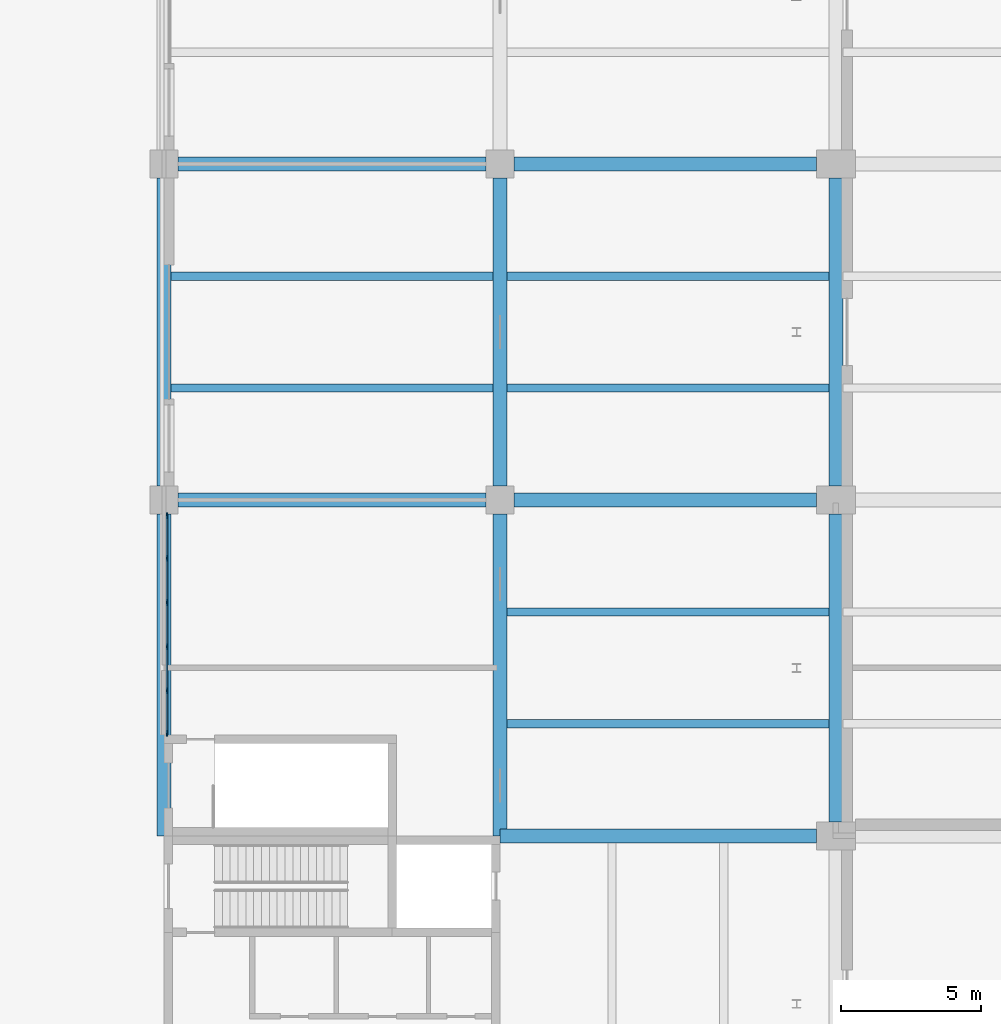
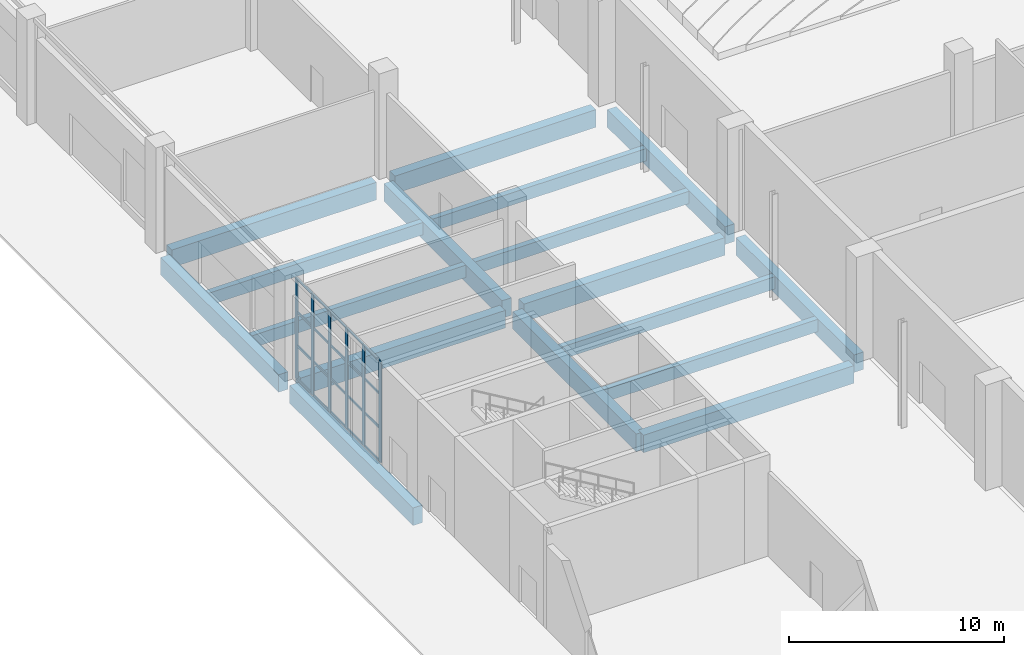
# One storey, part 13 of 59: 26 members, 17 beams, 1 element without a shape of its own.
"""IFC4 building model written with IfcOpenShell, lengths in metres."""

from ifc_helpers import new_model, si_unit, direction, frame, origin, origin_2d, place, context, subcontext, project, spatial, rectangle, extrude, material, layer, layer_set, material_profile, profile_set, type_object, element, aggregate, save


model = new_model("IFC4")

# Units and contexts
model_context = context("Model", 3, precision=1e-05, world=origin(), true_north=direction((0.0, 1.0)))
body_context = subcontext(model_context, "Body", "Model", "MODEL_VIEW")
ifc_project = project(units=[si_unit("LENGTHUNIT", "METRE"), si_unit("AREAUNIT", "SQUARE_METRE"), si_unit("VOLUMEUNIT", "CUBIC_METRE"), si_unit("PLANEANGLEUNIT", "RADIAN"), si_unit("MASSUNIT", "GRAM", prefix="KILO")], contexts=[model_context])

# Site, building, storey
site_placement = place(None, origin())
site = spatial("IfcSite", under=ifc_project, at=site_placement, CompositionType="ELEMENT")
building_placement = place(site_placement, origin())
building = spatial("IfcBuilding", under=site, at=building_placement, Name="Lilac Gate Convention Centre", CompositionType="ELEMENT")
storey_placement = place(building_placement, origin())
storey = spatial("IfcBuildingStorey", under=building, at=storey_placement, Name="L00", CompositionType="ELEMENT", Elevation=0.0)

# Curtain wall, members
ifc_material_1 = material(Name="Aluminium framed double glazing", Category="aluminium")
ifc_layer = layer(ifc_material_1, 0.199951171875)
ifc_layer_set = layer_set([ifc_layer], Name="Aluminium framed double glazing")
curtain_wall_type = type_object("IfcCurtainWallType", Name="Unitised curtain wall 1500", PredefinedType="NOTDEFINED", material=ifc_layer_set)
curtain_wall_placement = place(storey_placement, origin())
curtain_wall = element("IfcCurtainWall", 1, at=curtain_wall_placement, inside=storey, type_object=curtain_wall_type, Name="Curtain wall PW L00 8", PredefinedType="NOTDEFINED")
ifc_material_2 = material(Name="Aluminium alloy 6063", Category="aluminium")
ifc_material_profile_1 = material_profile(ifc_material_2, rectangle(XDim=0.06005859375, YDim=0.219970703125, at=origin_2d()), Name="Curtain wall mullion 60 x 220")
ifc_profile_set_1 = profile_set([ifc_material_profile_1], Name="Aluminium alloy 6063")
member_type_1 = type_object("IfcMemberType", Name="Curtain wall mullion 60 x 220", PredefinedType="MULLION", material=ifc_profile_set_1)
member_1_placement = place(storey_placement, frame((6.10009765625, 113.43994140625, 0.0), z_axis=(0.0, 0.0, 1.0), x_axis=(1.0, 0.0, 0.0)))
member_1 = element("IfcMember", 2, at=member_1_placement, type_object=member_type_1, Name="CW mullion 1", PredefinedType="MULLION", context=body_context, shape_type="SweptSolid", body=[
    extrude(rectangle(XDim=0.06005859375, YDim=0.219970703125, at=origin_2d()), origin(), (0.0, 0.0, 1.0), 5.75),
])
member_2_placement = place(storey_placement, frame((6.10009765625, 111.919921875, 0.0), z_axis=(0.0, 0.0, 1.0), x_axis=(1.0, 0.0, 0.0)))
member_2 = element("IfcMember", 3, at=member_2_placement, type_object=member_type_1, Name="CW mullion 2", PredefinedType="MULLION", context=body_context, shape_type="SweptSolid", body=[
    extrude(rectangle(XDim=0.06005859375, YDim=0.219970703125, at=origin_2d()), origin(), (0.0, 0.0, 1.0), 5.75),
])
member_3_placement = place(storey_placement, frame((6.10009765625, 110.340087890625, 0.0), z_axis=(0.0, 0.0, 1.0), x_axis=(1.0, 0.0, 0.0)))
member_3 = element("IfcMember", 4, at=member_3_placement, type_object=member_type_1, Name="CW mullion 3", PredefinedType="MULLION", context=body_context, shape_type="SweptSolid", body=[
    extrude(rectangle(XDim=0.06005859375, YDim=0.219970703125, at=origin_2d()), origin(), (0.0, 0.0, 1.0), 5.75),
])
member_4_placement = place(storey_placement, frame((6.10009765625, 108.760009765625, 0.0), z_axis=(0.0, 0.0, 1.0), x_axis=(1.0, 0.0, 0.0)))
member_4 = element("IfcMember", 5, at=member_4_placement, type_object=member_type_1, Name="CW mullion 4", PredefinedType="MULLION", context=body_context, shape_type="SweptSolid", body=[
    extrude(rectangle(XDim=0.06005859375, YDim=0.219970703125, at=origin_2d()), origin(), (0.0, 0.0, 1.0), 5.75),
])
member_5_placement = place(storey_placement, frame((6.10009765625, 107.18017578125, 0.0), z_axis=(0.0, 0.0, 1.0), x_axis=(1.0, 0.0, 0.0)))
member_5 = element("IfcMember", 6, at=member_5_placement, type_object=member_type_1, Name="CW mullion 5", PredefinedType="MULLION", context=body_context, shape_type="SweptSolid", body=[
    extrude(rectangle(XDim=0.06005859375, YDim=0.219970703125, at=origin_2d()), origin(), (0.0, 0.0, 1.0), 5.75),
])
member_6_placement = place(storey_placement, frame((6.10009765625, 105.66015625, 0.0), z_axis=(0.0, 0.0, 1.0), x_axis=(1.0, 0.0, 0.0)))
member_6 = element("IfcMember", 7, at=member_6_placement, type_object=member_type_1, Name="CW mullion 6", PredefinedType="MULLION", context=body_context, shape_type="SweptSolid", body=[
    extrude(rectangle(XDim=0.06005859375, YDim=0.219970703125, at=origin_2d()), origin(), (0.0, 0.0, 1.0), 5.75),
])
ifc_material_profile_2 = material_profile(ifc_material_2, rectangle(XDim=0.06005859375, YDim=0.1201171875, at=origin_2d()), Name="Curtain wall transom 60 x 120")
ifc_profile_set_2 = profile_set([ifc_material_profile_2], Name="Aluminium alloy 6063")
member_type_2 = type_object("IfcMemberType", Name="Curtain wall transom 60 x 120", PredefinedType="USERDEFINED", material=ifc_profile_set_2)
member_7_placement = place(storey_placement, frame((6.10009765625, 113.43994140625, 0.030029296875), z_axis=(0.0, -1.0, 0.0), x_axis=(1.0, 0.0, 0.0)))
member_7 = element("IfcMember", 8, at=member_7_placement, type_object=member_type_2, Name="CW transom 1.1", ObjectType="TRANSOM", PredefinedType="USERDEFINED", context=body_context, shape_type="SweptSolid", body=[
    extrude(rectangle(XDim=0.06005859375, YDim=0.1201171875, at=origin_2d()), origin(), (0.0, 0.0, 1.0), 1.489990234375),
])
member_8_placement = place(storey_placement, frame((6.10009765625, 113.43994140625, 1.916748046875), z_axis=(0.0, -1.0, 0.0), x_axis=(1.0, 0.0, 0.0)))
member_8 = element("IfcMember", 9, at=member_8_placement, type_object=member_type_2, Name="CW transom 1.2", ObjectType="TRANSOM", PredefinedType="USERDEFINED", context=body_context, shape_type="SweptSolid", body=[
    extrude(rectangle(XDim=0.06005859375, YDim=0.1201171875, at=origin_2d()), origin(), (0.0, 0.0, 1.0), 1.489990234375),
])
member_9_placement = place(storey_placement, frame((6.10009765625, 113.43994140625, 3.833251953125), z_axis=(0.0, -1.0, 0.0), x_axis=(1.0, 0.0, 0.0)))
member_9 = element("IfcMember", 10, at=member_9_placement, type_object=member_type_2, Name="CW transom 1.3", ObjectType="TRANSOM", PredefinedType="USERDEFINED", context=body_context, shape_type="SweptSolid", body=[
    extrude(rectangle(XDim=0.06005859375, YDim=0.1201171875, at=origin_2d()), origin(), (0.0, 0.0, 1.0), 1.489990234375),
])
member_10_placement = place(storey_placement, frame((6.10009765625, 113.43994140625, 5.719970703125), z_axis=(0.0, -1.0, 0.0), x_axis=(1.0, 0.0, 0.0)))
member_10 = element("IfcMember", 11, at=member_10_placement, type_object=member_type_2, Name="CW transom 1.4", ObjectType="TRANSOM", PredefinedType="USERDEFINED", context=body_context, shape_type="SweptSolid", body=[
    extrude(rectangle(XDim=0.06005859375, YDim=0.1201171875, at=origin_2d()), origin(), (0.0, 0.0, 1.0), 1.489990234375),
])
member_11_placement = place(storey_placement, frame((6.10009765625, 111.89013671875, 0.030029296875), z_axis=(0.0, -1.0, 0.0), x_axis=(1.0, 0.0, 0.0)))
member_11 = element("IfcMember", 12, at=member_11_placement, type_object=member_type_2, Name="CW transom 2.1", ObjectType="TRANSOM", PredefinedType="USERDEFINED", context=body_context, shape_type="SweptSolid", body=[
    extrude(rectangle(XDim=0.06005859375, YDim=0.1201171875, at=origin_2d()), origin(), (0.0, 0.0, 1.0), 1.52001953125),
])
member_12_placement = place(storey_placement, frame((6.10009765625, 111.89013671875, 1.916748046875), z_axis=(0.0, -1.0, 0.0), x_axis=(1.0, 0.0, 0.0)))
member_12 = element("IfcMember", 13, at=member_12_placement, type_object=member_type_2, Name="CW transom 2.2", ObjectType="TRANSOM", PredefinedType="USERDEFINED", context=body_context, shape_type="SweptSolid", body=[
    extrude(rectangle(XDim=0.06005859375, YDim=0.1201171875, at=origin_2d()), origin(), (0.0, 0.0, 1.0), 1.52001953125),
])
member_13_placement = place(storey_placement, frame((6.10009765625, 111.89013671875, 3.833251953125), z_axis=(0.0, -1.0, 0.0), x_axis=(1.0, 0.0, 0.0)))
member_13 = element("IfcMember", 14, at=member_13_placement, type_object=member_type_2, Name="CW transom 2.3", ObjectType="TRANSOM", PredefinedType="USERDEFINED", context=body_context, shape_type="SweptSolid", body=[
    extrude(rectangle(XDim=0.06005859375, YDim=0.1201171875, at=origin_2d()), origin(), (0.0, 0.0, 1.0), 1.52001953125),
])
member_14_placement = place(storey_placement, frame((6.10009765625, 111.89013671875, 5.719970703125), z_axis=(0.0, -1.0, 0.0), x_axis=(1.0, 0.0, 0.0)))
member_14 = element("IfcMember", 15, at=member_14_placement, type_object=member_type_2, Name="CW transom 2.4", ObjectType="TRANSOM", PredefinedType="USERDEFINED", context=body_context, shape_type="SweptSolid", body=[
    extrude(rectangle(XDim=0.06005859375, YDim=0.1201171875, at=origin_2d()), origin(), (0.0, 0.0, 1.0), 1.52001953125),
])
member_15_placement = place(storey_placement, frame((6.10009765625, 110.31005859375, 0.030029296875), z_axis=(0.0, -1.0, 0.0), x_axis=(1.0, 0.0, 0.0)))
member_15 = element("IfcMember", 16, at=member_15_placement, type_object=member_type_2, Name="CW transom 3.1", ObjectType="TRANSOM", PredefinedType="USERDEFINED", context=body_context, shape_type="SweptSolid", body=[
    extrude(rectangle(XDim=0.06005859375, YDim=0.1201171875, at=origin_2d()), origin(), (0.0, 0.0, 1.0), 1.52001953125),
])
member_16_placement = place(storey_placement, frame((6.10009765625, 110.31005859375, 1.916748046875), z_axis=(0.0, -1.0, 0.0), x_axis=(1.0, 0.0, 0.0)))
member_16 = element("IfcMember", 17, at=member_16_placement, type_object=member_type_2, Name="CW transom 3.2", ObjectType="TRANSOM", PredefinedType="USERDEFINED", context=body_context, shape_type="SweptSolid", body=[
    extrude(rectangle(XDim=0.06005859375, YDim=0.1201171875, at=origin_2d()), origin(), (0.0, 0.0, 1.0), 1.52001953125),
])
member_17_placement = place(storey_placement, frame((6.10009765625, 110.31005859375, 3.833251953125), z_axis=(0.0, -1.0, 0.0), x_axis=(1.0, 0.0, 0.0)))
member_17 = element("IfcMember", 18, at=member_17_placement, type_object=member_type_2, Name="CW transom 3.3", ObjectType="TRANSOM", PredefinedType="USERDEFINED", context=body_context, shape_type="SweptSolid", body=[
    extrude(rectangle(XDim=0.06005859375, YDim=0.1201171875, at=origin_2d()), origin(), (0.0, 0.0, 1.0), 1.52001953125),
])
member_18_placement = place(storey_placement, frame((6.10009765625, 110.31005859375, 5.719970703125), z_axis=(0.0, -1.0, 0.0), x_axis=(1.0, 0.0, 0.0)))
member_18 = element("IfcMember", 19, at=member_18_placement, type_object=member_type_2, Name="CW transom 3.4", ObjectType="TRANSOM", PredefinedType="USERDEFINED", context=body_context, shape_type="SweptSolid", body=[
    extrude(rectangle(XDim=0.06005859375, YDim=0.1201171875, at=origin_2d()), origin(), (0.0, 0.0, 1.0), 1.52001953125),
])
member_19_placement = place(storey_placement, frame((6.10009765625, 108.72998046875, 0.030029296875), z_axis=(0.0, -1.0, 0.0), x_axis=(1.0, 0.0, 0.0)))
member_19 = element("IfcMember", 20, at=member_19_placement, type_object=member_type_2, Name="CW transom 4.1", ObjectType="TRANSOM", PredefinedType="USERDEFINED", context=body_context, shape_type="SweptSolid", body=[
    extrude(rectangle(XDim=0.06005859375, YDim=0.1201171875, at=origin_2d()), origin(), (0.0, 0.0, 1.0), 1.52001953125),
])
member_20_placement = place(storey_placement, frame((6.10009765625, 108.72998046875, 1.916748046875), z_axis=(0.0, -1.0, 0.0), x_axis=(1.0, 0.0, 0.0)))
member_20 = element("IfcMember", 21, at=member_20_placement, type_object=member_type_2, Name="CW transom 4.2", ObjectType="TRANSOM", PredefinedType="USERDEFINED", context=body_context, shape_type="SweptSolid", body=[
    extrude(rectangle(XDim=0.06005859375, YDim=0.1201171875, at=origin_2d()), origin(), (0.0, 0.0, 1.0), 1.52001953125),
])
member_21_placement = place(storey_placement, frame((6.10009765625, 108.72998046875, 3.833251953125), z_axis=(0.0, -1.0, 0.0), x_axis=(1.0, 0.0, 0.0)))
member_21 = element("IfcMember", 22, at=member_21_placement, type_object=member_type_2, Name="CW transom 4.3", ObjectType="TRANSOM", PredefinedType="USERDEFINED", context=body_context, shape_type="SweptSolid", body=[
    extrude(rectangle(XDim=0.06005859375, YDim=0.1201171875, at=origin_2d()), origin(), (0.0, 0.0, 1.0), 1.52001953125),
])
member_22_placement = place(storey_placement, frame((6.10009765625, 108.72998046875, 5.719970703125), z_axis=(0.0, -1.0, 0.0), x_axis=(1.0, 0.0, 0.0)))
member_22 = element("IfcMember", 23, at=member_22_placement, type_object=member_type_2, Name="CW transom 4.4", ObjectType="TRANSOM", PredefinedType="USERDEFINED", context=body_context, shape_type="SweptSolid", body=[
    extrude(rectangle(XDim=0.06005859375, YDim=0.1201171875, at=origin_2d()), origin(), (0.0, 0.0, 1.0), 1.52001953125),
])
member_23_placement = place(storey_placement, frame((6.10009765625, 107.150146484375, 0.030029296875), z_axis=(0.0, -1.0, 0.0), x_axis=(1.0, 0.0, 0.0)))
member_23 = element("IfcMember", 24, at=member_23_placement, type_object=member_type_2, Name="CW transom 5.1", ObjectType="TRANSOM", PredefinedType="USERDEFINED", context=body_context, shape_type="SweptSolid", body=[
    extrude(rectangle(XDim=0.06005859375, YDim=0.1201171875, at=origin_2d()), origin(), (0.0, 0.0, 1.0), 1.489990234375),
])
member_24_placement = place(storey_placement, frame((6.10009765625, 107.150146484375, 1.916748046875), z_axis=(0.0, -1.0, 0.0), x_axis=(1.0, 0.0, 0.0)))
member_24 = element("IfcMember", 25, at=member_24_placement, type_object=member_type_2, Name="CW transom 5.2", ObjectType="TRANSOM", PredefinedType="USERDEFINED", context=body_context, shape_type="SweptSolid", body=[
    extrude(rectangle(XDim=0.06005859375, YDim=0.1201171875, at=origin_2d()), origin(), (0.0, 0.0, 1.0), 1.489990234375),
])
member_25_placement = place(storey_placement, frame((6.10009765625, 107.150146484375, 3.833251953125), z_axis=(0.0, -1.0, 0.0), x_axis=(1.0, 0.0, 0.0)))
member_25 = element("IfcMember", 26, at=member_25_placement, type_object=member_type_2, Name="CW transom 5.3", ObjectType="TRANSOM", PredefinedType="USERDEFINED", context=body_context, shape_type="SweptSolid", body=[
    extrude(rectangle(XDim=0.06005859375, YDim=0.1201171875, at=origin_2d()), origin(), (0.0, 0.0, 1.0), 1.489990234375),
])
member_26_placement = place(storey_placement, frame((6.10009765625, 107.150146484375, 5.719970703125), z_axis=(0.0, -1.0, 0.0), x_axis=(1.0, 0.0, 0.0)))
member_26 = element("IfcMember", 27, at=member_26_placement, type_object=member_type_2, Name="CW transom 5.4", ObjectType="TRANSOM", PredefinedType="USERDEFINED", context=body_context, shape_type="SweptSolid", body=[
    extrude(rectangle(XDim=0.06005859375, YDim=0.1201171875, at=origin_2d()), origin(), (0.0, 0.0, 1.0), 1.489990234375),
])
aggregate(curtain_wall, [member_1, member_2, member_3, member_4, member_5, member_6, member_7, member_8, member_9, member_10, member_11, member_12, member_13, member_14, member_15, member_16, member_17, member_18, member_19, member_20, member_21, member_22, member_23, member_24, member_25, member_26])

# Beams
ifc_material_3 = material(Name="Concrete C40", Category="concrete")
ifc_material_profile_3 = material_profile(ifc_material_3, rectangle(XDim=0.5, YDim=1.0, at=origin_2d()), Name="RC 500x1000")
ifc_profile_set_3 = profile_set([ifc_material_profile_3], Name="Concrete C40")
beam_type_1 = type_object("IfcBeamType", Name="Primary beam 500x1000 C40", PredefinedType="BEAM", material=ifc_profile_set_3)
beam_1_placement = place(storey_placement, frame((18.0, 102.0, -0.800048828125), z_axis=(1.0, 0.0, 0.0), x_axis=(0.0, 1.0, 0.0)))
element("IfcBeam", 28, at=beam_1_placement, inside=storey, type_object=beam_type_1, Name="RB1 L00 2/G-3/G", PredefinedType="BEAM", context=body_context, shape_type="SweptSolid", body=[
    extrude(rectangle(XDim=0.5, YDim=1.0, at=origin_2d()), origin(), (0.0, 0.0, 1.0), 11.300048828125),
])
beam_2_placement = place(storey_placement, frame((6.5, 114.0, -0.800048828125), z_axis=(1.0, 0.0, 0.0), x_axis=(0.0, 1.0, 0.0)))
element("IfcBeam", 29, at=beam_2_placement, inside=storey, type_object=beam_type_1, Name="RB1 L00 1/H-2/H", PredefinedType="BEAM", context=body_context, shape_type="SweptSolid", body=[
    extrude(rectangle(XDim=0.5, YDim=1.0, at=origin_2d()), origin(), (0.0, 0.0, 1.0), 11.0),
])
beam_3_placement = place(storey_placement, frame((18.5, 114.0, -0.800048828125), z_axis=(1.0, 0.0, 0.0), x_axis=(0.0, 1.0, 0.0)))
element("IfcBeam", 30, at=beam_3_placement, inside=storey, type_object=beam_type_1, Name="RB1 L00 2/H-3/H", PredefinedType="BEAM", context=body_context, shape_type="SweptSolid", body=[
    extrude(rectangle(XDim=0.5, YDim=1.0, at=origin_2d()), origin(), (0.0, 0.0, 1.0), 10.800048828125),
])
beam_4_placement = place(storey_placement, frame((6.5, 126.0, -0.800048828125), z_axis=(1.0, 0.0, 0.0), x_axis=(0.0, 1.0, 0.0)))
element("IfcBeam", 31, at=beam_4_placement, inside=storey, type_object=beam_type_1, Name="RB1 L00 1/J-2/J", PredefinedType="BEAM", context=body_context, shape_type="SweptSolid", body=[
    extrude(rectangle(XDim=0.5, YDim=1.0, at=origin_2d()), origin(), (0.0, 0.0, 1.0), 11.0),
])
beam_5_placement = place(storey_placement, frame((18.5, 126.0, -0.800048828125), z_axis=(1.0, 0.0, 0.0), x_axis=(0.0, 1.0, 0.0)))
element("IfcBeam", 32, at=beam_5_placement, inside=storey, type_object=beam_type_1, Name="RB1 L00 2/J-3/J", PredefinedType="BEAM", context=body_context, shape_type="SweptSolid", body=[
    extrude(rectangle(XDim=0.5, YDim=1.0, at=origin_2d()), origin(), (0.0, 0.0, 1.0), 10.800048828125),
])
beam_6_placement = place(storey_placement, frame((6.0, 102.0, -0.800048828125), z_axis=(0.0, 1.0, 0.0), x_axis=(-1.0, 0.0, 0.0)))
element("IfcBeam", 33, at=beam_6_placement, inside=storey, type_object=beam_type_1, Name="RB1 L00 1/G-1/H", PredefinedType="BEAM", context=body_context, shape_type="SweptSolid", body=[
    extrude(rectangle(XDim=0.5, YDim=1.0, at=origin_2d()), origin(), (0.0, 0.0, 1.0), 11.5),
])
beam_7_placement = place(storey_placement, frame((6.0, 114.5, -0.800048828125), z_axis=(0.0, 1.0, 0.0), x_axis=(-1.0, 0.0, 0.0)))
element("IfcBeam", 34, at=beam_7_placement, inside=storey, type_object=beam_type_1, Name="RB1 L00 1/H-1/J", PredefinedType="BEAM", context=body_context, shape_type="SweptSolid", body=[
    extrude(rectangle(XDim=0.5, YDim=1.0, at=origin_2d()), origin(), (0.0, 0.0, 1.0), 11.0),
])
beam_8_placement = place(storey_placement, frame((18.0, 102.0, -0.800048828125), z_axis=(0.0, 1.0, 0.0), x_axis=(-1.0, 0.0, 0.0)))
element("IfcBeam", 35, at=beam_8_placement, inside=storey, type_object=beam_type_1, Name="RB1 L00 2/G-2/H", PredefinedType="BEAM", context=body_context, shape_type="SweptSolid", body=[
    extrude(rectangle(XDim=0.5, YDim=1.0, at=origin_2d()), origin(), (0.0, 0.0, 1.0), 11.5),
])
for number, where, z_axis, x_axis, name in (
    (36, (18.0, 114.5, -0.800048828125), (0.0, 1.0, 0.0), (-1.0, 0.0, 0.0), "RB1 L00 2/H-2/J"),
    (37, (30.0, 102.5, -0.800048828125), (0.0, 1.0, 0.0), (-1.0, 0.0, 0.0), "RB1 L00 3/G-3/H"),
    (38, (30.0, 114.5, -0.800048828125), (0.0, 1.0, 0.0), (-1.0, 0.0, 0.0), "RB1 L00 3/H-3/J"),
):
    element("IfcBeam", number, at=place(storey_placement, frame(where, z_axis=z_axis, x_axis=x_axis)), inside=storey, type_object=beam_type_1, Name=name, PredefinedType="BEAM", context=body_context, shape_type="SweptSolid", body=[
        extrude(rectangle(XDim=0.5, YDim=1.0, at=origin_2d()), origin(), (0.0, 0.0, 1.0), 11.0),
    ])
ifc_material_profile_4 = material_profile(ifc_material_3, rectangle(XDim=0.300048828125, YDim=0.699951171875, at=origin_2d()), Name="RC 300x700")
ifc_profile_set_4 = profile_set([ifc_material_profile_4], Name="Concrete C40")
beam_type_2 = type_object("IfcBeamType", Name="Secondary beam 300x700 C40", PredefinedType="BEAM", material=ifc_profile_set_4)
for number, where, z_axis, x_axis, name in (
    (39, (6.25, 118.0, -0.64990234375), (1.0, 0.0, 0.0), (0.0, 1.0, 0.0), "RB2 L00 bay 1/H"),
    (40, (6.25, 122.0, -0.64990234375), (1.0, 0.0, 0.0), (0.0, 1.0, 0.0), "RB2 L00 bay 1/H"),
    (41, (18.25, 106.0, -0.64990234375), (1.0, 0.0, 0.0), (0.0, 1.0, 0.0), "RB2 L00 bay 2/G"),
    (42, (18.25, 110.0, -0.64990234375), (1.0, 0.0, 0.0), (0.0, 1.0, 0.0), "RB2 L00 bay 2/G"),
    (43, (18.25, 118.0, -0.64990234375), (1.0, 0.0, 0.0), (0.0, 1.0, 0.0), "RB2 L00 bay 2/H"),
    (44, (18.25, 122.0, -0.64990234375), (1.0, 0.0, 0.0), (0.0, 1.0, 0.0), "RB2 L00 bay 2/H"),
):
    element("IfcBeam", number, at=place(storey_placement, frame(where, z_axis=z_axis, x_axis=x_axis)), inside=storey, type_object=beam_type_2, Name=name, PredefinedType="BEAM", context=body_context, shape_type="SweptSolid", body=[
        extrude(rectangle(XDim=0.300048828125, YDim=0.699951171875, at=origin_2d()), origin(), (0.0, 0.0, 1.0), 11.5),
    ])

save(model, "model.ifc")
